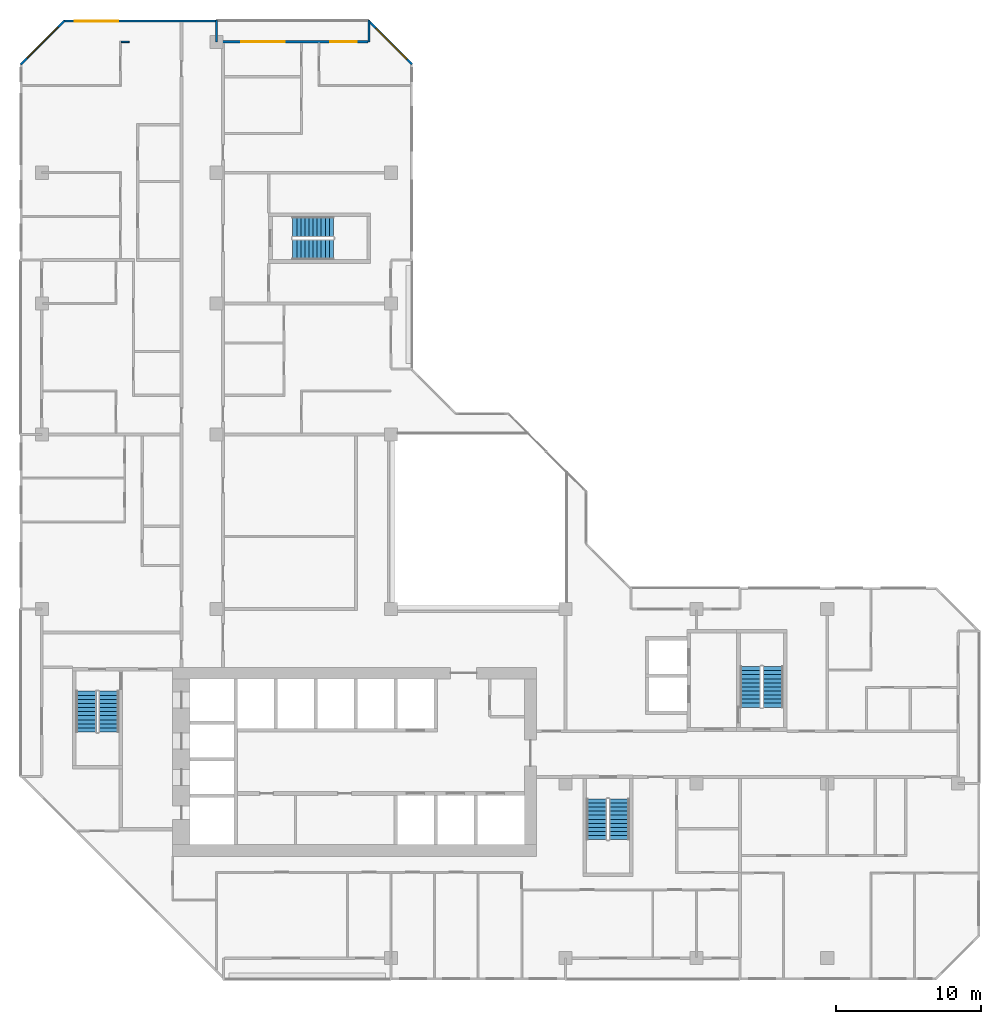
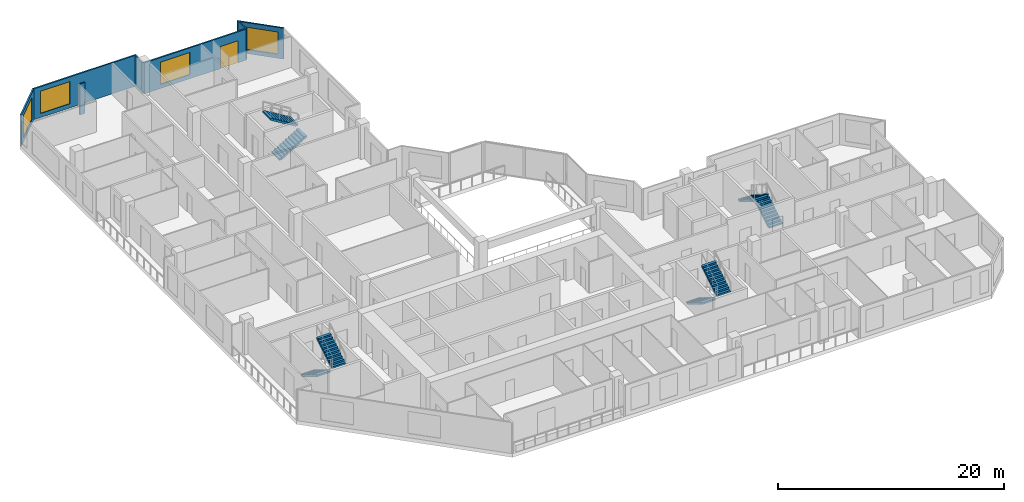
# One storey, part 12 of 14: 8 stair flights, 7 walls, 4 windows, 1 door, 5 openings, 4 elements without a shape of their own.
"""IFC4 building model written with IfcOpenShell, lengths in metres."""

from ifc_helpers import new_model, si_unit, direction, frame, frame_2d, origin, place, context, subcontext, project, spatial, polyline, rectangle, outline, extrude, material, layer, layer_set, type_object, element, fill, aggregate, save


model = new_model("IFC4")

# Units and contexts
model_context = context("Model", 3, precision=1e-05, world=origin(), true_north=direction((0.0, 1.0)))
body_context = subcontext(model_context, "Body", "Model", "MODEL_VIEW")
ifc_project = project(units=[si_unit("LENGTHUNIT", "METRE"), si_unit("AREAUNIT", "SQUARE_METRE"), si_unit("VOLUMEUNIT", "CUBIC_METRE"), si_unit("PLANEANGLEUNIT", "RADIAN"), si_unit("MASSUNIT", "GRAM", prefix="KILO")], contexts=[model_context])

# Site, building, storey
site_placement = place(None, origin())
site = spatial("IfcSite", under=ifc_project, at=site_placement, CompositionType="ELEMENT")
building_placement = place(site_placement, origin())
building = spatial("IfcBuilding", under=site, at=building_placement, Name="Chenar Terraces", CompositionType="ELEMENT")
storey_placement = place(building_placement, frame((0.0, 0.0, 183.64990234375)))
storey = spatial("IfcBuildingStorey", under=building, at=storey_placement, Name="L42", CompositionType="ELEMENT", Elevation=183.64990234375)

# Wall, opening, window
ifc_material_1 = material(Name="Aluminium framed glazing", Category="aluminium")
ifc_layer_1 = layer(ifc_material_1, 0.14990234375)
ifc_layer_set_1 = layer_set([ifc_layer_1], Name="Aluminium framed glazing")
wall_type_1 = type_object("IfcWallType", Name="Glazed flush facade wall 150", PredefinedType="SOLIDWALL", material=ifc_layer_set_1)
wall_1_placement = place(storey_placement, frame((11.925048828125, 64.425048828125, 0.0), z_axis=(0.0, 0.0, 1.0), x_axis=(-1.0, 0.0, 0.0)))
wall_1 = element("IfcWall", 1, at=wall_1_placement, inside=storey, type_object=wall_type_1, Name="Glazed flush facade wall", PredefinedType="SOLIDWALL", context=body_context, shape_type="SweptSolid", body=[
    extrude(rectangle(XDim=10.425048828125, YDim=0.14990234375, at=frame_2d((5.21240234375, 0.0))), origin(), (0.0, 0.0, 1.0), 3.35009765625),
])
opening_1_placement = place(wall_1_placement, frame((6.675048828125, 0.0, 0.449951171875)))
opening_1 = element("IfcOpeningElement", 2, at=opening_1_placement, cuts=wall_1, Name="Opening W300x240", PredefinedType="OPENING", context=body_context, shape_type="SweptSolid", body=[
    extrude(rectangle(XDim=3.0, YDim=2.39990234375, at=frame_2d((1.5, 1.199951171875))), frame((0.0, 0.0849609375, 0.0), z_axis=(0.0, -1.0, 0.0), x_axis=(1.0, 0.0, 0.0)), (0.0, 0.0, 1.0), 0.169921875),
])
ifc_material_2 = material(Name="Low emissivity double glazing, aluminium frame", Category="aluminium")
window_type = type_object("IfcWindowType", Name="Fixed light 3000 x 2400", PartitioningType="SINGLE_PANEL", PredefinedType="WINDOW", material=ifc_material_2)
window_1_placement = place(opening_1_placement, origin())
window_1 = element("IfcWindow", 3, at=window_1_placement, inside=storey, type_object=window_type, Name="Window", OverallHeight=2.39990234375, OverallWidth=3.0, PartitioningType="SINGLE_PANEL", PredefinedType="WINDOW", context=body_context, shape_type="SweptSolid", body=[
    extrude(rectangle(XDim=3.0, YDim=2.39990234375, at=frame_2d((1.5, 1.199951171875))), frame((0.0, 0.030029296875, 0.0), z_axis=(0.0, -1.0, 0.0), x_axis=(1.0, 0.0, 0.0)), (0.0, 0.0, 1.0), 0.06005859375),
])
fill(opening_1, window_1)

# Wall, openings, window, door
ifc_material_3 = material(Name="Aluminium framed glazing", Category="aluminium")
ifc_layer_2 = layer(ifc_material_3, 0.14990234375)
ifc_layer_set_2 = layer_set([ifc_layer_2], Name="Aluminium framed glazing")
wall_type_2 = type_object("IfcWallType", Name="Glazed loggia back wall 150", PredefinedType="SOLIDWALL", material=ifc_layer_set_2)
wall_2_placement = place(storey_placement, frame((22.425048828125, 63.0, 0.0), z_axis=(0.0, 0.0, 1.0), x_axis=(-1.0, 0.0, 0.0)))
wall_2 = element("IfcWall", 4, at=wall_2_placement, inside=storey, type_object=wall_type_2, Name="Glazed loggia back wall", PredefinedType="SOLIDWALL", context=body_context, shape_type="SweptSolid", body=[
    extrude(rectangle(XDim=10.35009765625, YDim=0.14990234375, at=frame_2d((5.175048828125, 0.0))), origin(), (0.0, 0.0, 1.0), 3.35009765625),
])
opening_2_placement = place(wall_2_placement, frame((0.78759765625, 0.0, 0.0)))
opening_2 = element("IfcOpeningElement", 5, at=opening_2_placement, cuts=wall_2, Name="Opening DL42-G2", PredefinedType="OPENING", context=body_context, shape_type="SweptSolid", body=[
    extrude(rectangle(XDim=1.800048828125, YDim=2.39990234375, at=frame_2d((0.89990234375, 1.199951171875))), frame((0.0, 0.0849609375, 0.0), z_axis=(0.0, -1.0, 0.0), x_axis=(1.0, 0.0, 0.0)), (0.0, 0.0, 1.0), 0.169921875),
])
opening_3_placement = place(wall_2_placement, frame((5.72509765625, 0.0, 0.449951171875)))
opening_3 = element("IfcOpeningElement", 6, at=opening_3_placement, cuts=wall_2, Name="Opening W300x240", PredefinedType="OPENING", context=body_context, shape_type="SweptSolid", body=[
    extrude(rectangle(XDim=3.0, YDim=2.39990234375, at=frame_2d((1.5, 1.199951171875))), frame((0.0, 0.0849609375, 0.0), z_axis=(0.0, -1.0, 0.0), x_axis=(1.0, 0.0, 0.0)), (0.0, 0.0, 1.0), 0.169921875),
])
window_2_placement = place(opening_3_placement, origin())
window_2 = element("IfcWindow", 7, at=window_2_placement, inside=storey, type_object=window_type, Name="Window", OverallHeight=2.39990234375, OverallWidth=3.0, PartitioningType="SINGLE_PANEL", PredefinedType="WINDOW", context=body_context, shape_type="SweptSolid", body=[
    extrude(rectangle(XDim=3.0, YDim=2.39990234375, at=frame_2d((1.5, 1.199951171875))), frame((0.0, 0.030029296875, 0.0), z_axis=(0.0, -1.0, 0.0), x_axis=(1.0, 0.0, 0.0)), (0.0, 0.0, 1.0), 0.06005859375),
])
fill(opening_3, window_2)
ifc_material_4 = material(Name="Low emissivity double glazing, aluminium frame", Category="aluminium")
door_type = type_object("IfcDoorType", Name="Loggia glazed double door 1800 x 2400", OperationType="DOUBLE_DOOR_SINGLE_SWING", PredefinedType="DOOR", material=ifc_material_4)
door_placement = place(opening_2_placement, frame((1.800048828125, 0.0, 0.0), z_axis=(0.0, 0.0, 1.0), x_axis=(-1.0, 0.0, 0.0)))
door = element("IfcDoor", 8, at=door_placement, inside=storey, type_object=door_type, Name="Loggia glazed door", OperationType="DOUBLE_DOOR_SINGLE_SWING", OverallHeight=2.39990234375, OverallWidth=1.800048828125, PredefinedType="DOOR", context=body_context, shape_type="SweptSolid", body=[
    extrude(rectangle(XDim=1.800048828125, YDim=2.39990234375, at=frame_2d((0.89990234375, 1.199951171875))), frame((0.0, 0.02490234375, 0.0), z_axis=(0.0, -1.0, 0.0), x_axis=(1.0, 0.0, 0.0)), (0.0, 0.0, 1.0), 0.050048828125),
])
fill(opening_2, door)

# Walls
ifc_material_5 = material(Name="Gypsum board on steel studs", Category="steel")
ifc_layer_3 = layer(ifc_material_5, 0.10009765625)
ifc_layer_set_3 = layer_set([ifc_layer_3], Name="Gypsum board on steel studs")
wall_type_3 = type_object("IfcWallType", Name="Gypsum partition 100", PredefinedType="PARTITIONING", material=ifc_layer_set_3)
wall_3_placement = place(storey_placement, frame((5.449951171875, 63.0, 0.0), z_axis=(0.0, 0.0, 1.0), x_axis=(1.0, 0.0, 0.0)))
element("IfcWall", 9, at=wall_3_placement, inside=storey, type_object=wall_type_3, Name="Partition L42-017", PredefinedType="PARTITIONING", context=body_context, shape_type="SweptSolid", body=[
    extrude(rectangle(XDim=0.550048828125, YDim=0.10009765625, at=frame_2d((0.27490234375, 0.0))), origin(), (0.0, 0.0, 1.0), 3.35009765625),
])
ifc_material_6 = material(Name="Terracotta cladding on insulated backing", Category="masonry")
ifc_layer_4 = layer(ifc_material_6, 0.14990234375)
ifc_layer_set_4 = layer_set([ifc_layer_4], Name="Terracotta cladding on insulated backing")
wall_type_4 = type_object("IfcWallType", Name="Loggia return wall 150", PredefinedType="SOLIDWALL", material=ifc_layer_set_4)
for number, where, z_axis, x_axis, name in (
    (10, (22.5, 64.5, 0.0), (0.0, 0.0, 1.0), (0.0, -1.0, 0.0), "Loggia return wall"),
    (11, (12.0, 64.5, 0.0), (0.0, 0.0, 1.0), (0.0, -1.0, 0.0), "Loggia return wall"),
):
    element("IfcWall", number, at=place(storey_placement, frame(where, z_axis=z_axis, x_axis=x_axis)), inside=storey, type_object=wall_type_4, Name=name, PredefinedType="SOLIDWALL", context=body_context, shape_type="SweptSolid", body=[
        extrude(rectangle(XDim=1.5, YDim=0.14990234375, at=frame_2d((0.75, 0.0))), origin(), (0.0, 0.0, 1.0), 3.35009765625),
    ])

# Wall, opening, window
ifc_material_7 = material(Name="Terracotta cladding on insulated backing", Category="masonry")
ifc_layer_5 = layer(ifc_material_7, 0.14990234375)
ifc_layer_set_5 = layer_set([ifc_layer_5], Name="Terracotta cladding on insulated backing")
wall_type_5 = type_object("IfcWallType", Name="Terracotta rainscreen wall 150", PredefinedType="SOLIDWALL", material=ifc_layer_set_5)
wall_4_placement = place(storey_placement, frame((25.447021484375, 61.447021484375, 0.0), z_axis=(0.0, 0.0, 1.0), x_axis=(-0.707106781187, 0.707106781187, 0.0)))
wall_4 = element("IfcWall", 12, at=wall_4_placement, inside=storey, type_object=wall_type_5, Name="Terracotta rainscreen wall", PredefinedType="SOLIDWALL", context=body_context, shape_type="SweptSolid", body=[
    extrude(rectangle(XDim=4.24267578125, YDim=0.14990234375, at=frame_2d((2.121337890625, 0.0))), origin(), (0.0, 0.0, 1.0), 3.35009765625),
])
opening_4_placement = place(wall_4_placement, frame((0.498046875, 0.0, 0.449951171875)))
opening_4 = element("IfcOpeningElement", 13, at=opening_4_placement, cuts=wall_4, Name="Opening W300x240", PredefinedType="OPENING", context=body_context, shape_type="SweptSolid", body=[
    extrude(rectangle(XDim=3.0, YDim=2.39990234375, at=frame_2d((1.5, 1.199951171875))), frame((0.0, 0.0849609375, 0.0), z_axis=(0.0, -1.0, 0.0), x_axis=(1.0, 0.0, 0.0)), (0.0, 0.0, 1.0), 0.169921875),
])
window_3_placement = place(opening_4_placement, origin())
window_3 = element("IfcWindow", 14, at=window_3_placement, inside=storey, type_object=window_type, Name="Window", OverallHeight=2.39990234375, OverallWidth=3.0, PartitioningType="SINGLE_PANEL", PredefinedType="WINDOW", context=body_context, shape_type="SweptSolid", body=[
    extrude(rectangle(XDim=3.0, YDim=2.39990234375, at=frame_2d((1.5, 1.199951171875))), frame((0.0, 0.030029296875, 0.0), z_axis=(0.0, -1.0, 0.0), x_axis=(1.0, 0.0, 0.0)), (0.0, 0.0, 1.0), 0.06005859375),
])
fill(opening_4, window_3)

wall_5_placement = place(storey_placement, frame((1.552978515625, 64.447021484375, 0.0), z_axis=(0.0, 0.0, 1.0), x_axis=(-0.707106781187, -0.707106781187, 0.0)))
wall_5 = element("IfcWall", 15, at=wall_5_placement, inside=storey, type_object=wall_type_5, Name="Terracotta rainscreen wall", PredefinedType="SOLIDWALL", context=body_context, shape_type="SweptSolid", body=[
    extrude(rectangle(XDim=4.24267578125, YDim=0.14990234375, at=frame_2d((2.121337890625, 0.0))), origin(), (0.0, 0.0, 1.0), 3.35009765625),
])
opening_5_placement = place(wall_5_placement, frame((0.621337890625, 0.0, 0.449951171875)))
opening_5 = element("IfcOpeningElement", 16, at=opening_5_placement, cuts=wall_5, Name="Opening W300x240", PredefinedType="OPENING", context=body_context, shape_type="SweptSolid", body=[
    extrude(rectangle(XDim=3.0, YDim=2.39990234375, at=frame_2d((1.5, 1.199951171875))), frame((0.0, 0.0849609375, 0.0), z_axis=(0.0, -1.0, 0.0), x_axis=(1.0, 0.0, 0.0)), (0.0, 0.0, 1.0), 0.169921875),
])
window_4_placement = place(opening_5_placement, origin())
window_4 = element("IfcWindow", 17, at=window_4_placement, inside=storey, type_object=window_type, Name="Window", OverallHeight=2.39990234375, OverallWidth=3.0, PartitioningType="SINGLE_PANEL", PredefinedType="WINDOW", context=body_context, shape_type="SweptSolid", body=[
    extrude(rectangle(XDim=3.0, YDim=2.39990234375, at=frame_2d((1.5, 1.199951171875))), frame((0.0, 0.030029296875, 0.0), z_axis=(0.0, -1.0, 0.0), x_axis=(1.0, 0.0, 0.0)), (0.0, 0.0, 1.0), 0.06005859375),
])
fill(opening_5, window_4)

# Stair, stair flights
ifc_material_8 = material(Name="Reinforced concrete C40/50", Category="concrete")
stair_type = type_object("IfcStairType", Name="Core stair 1400 half-turn", PredefinedType="HALF_TURN_STAIR", material=ifc_material_8)
placement = place(storey_placement, origin())
stair_1 = element("IfcStair", 18, at=placement, inside=storey, type_object=stair_type, Name="L42 Stair 1", PredefinedType="HALF_TURN_STAIR")
ifc_material_9 = material(Name="Reinforced concrete C40/50", Category="concrete")
stair_flight_type = type_object("IfcStairFlightType", Name="Core stair flight 1400", PredefinedType="STRAIGHT", material=ifc_material_9)
stair_flight_1_placement = place(storey_placement, frame((3.050048828125, 18.35009765625, 0.0), z_axis=(0.0, 0.0, 1.0), x_axis=(0.0, -1.0, 0.0)))
stair_flight_1 = element("IfcStairFlight", 19, at=stair_flight_1_placement, type_object=stair_flight_type, Name="ST1 flight 1", NumberOfRisers=11, NumberOfTreads=10, PredefinedType="STRAIGHT", RiserHeight=0.170454545, TreadLength=0.28, context=body_context, shape_type="SweptSolid", body=[
    extrude(outline(polyline([(-0.0029296875, 0.0), (-0.0029296875, 0.17041015625), (0.0, 0.17041015625), (0.280029296875, 0.17041015625), (0.280029296875, 0.3408203125), (0.56005859375, 0.3408203125), (0.56005859375, 0.511474609375), (0.840087890625, 0.511474609375), (0.840087890625, 0.681884765625), (1.1201171875, 0.681884765625), (1.1201171875, 0.852294921875), (1.39990234375, 0.852294921875), (1.39990234375, 1.022705078125), (1.679931640625, 1.022705078125), (1.679931640625, 1.193115234375), (1.9599609375, 1.193115234375), (1.9599609375, 1.363525390625), (2.239990234375, 1.363525390625), (2.239990234375, 1.5341796875), (2.52001953125, 1.5341796875), (2.52001953125, 1.70458984375), (2.800048828125, 1.70458984375), (2.802978515625, 1.70458984375), (2.802978515625, 1.529052734375), (2.800048828125, 1.529052734375), (0.288330078125, 0.0), (-0.0029296875, 0.0)])), frame((0.0, 0.699951171875, 0.0), z_axis=(0.0, -1.0, 0.0), x_axis=(1.0, 0.0, 0.0)), (0.0, 0.0, 1.0), 1.39990234375),
])
stair_flight_2_placement = place(storey_placement, frame((4.60009765625, 15.550048828125, 1.875), z_axis=(0.0, 0.0, 1.0), x_axis=(0.0, 1.0, 0.0)))
stair_flight_2 = element("IfcStairFlight", 20, at=stair_flight_2_placement, type_object=stair_flight_type, Name="ST1 flight 2", NumberOfRisers=11, NumberOfTreads=10, PredefinedType="STRAIGHT", RiserHeight=0.170454545, TreadLength=0.28, context=body_context, shape_type="SweptSolid", body=[
    extrude(outline(polyline([(-0.0029296875, 0.0), (-0.0029296875, 0.17041015625), (0.0, 0.17041015625), (0.280029296875, 0.17041015625), (0.280029296875, 0.3408203125), (0.56005859375, 0.3408203125), (0.56005859375, 0.511474609375), (0.840087890625, 0.511474609375), (0.840087890625, 0.681884765625), (1.1201171875, 0.681884765625), (1.1201171875, 0.852294921875), (1.39990234375, 0.852294921875), (1.39990234375, 1.022705078125), (1.679931640625, 1.022705078125), (1.679931640625, 1.193115234375), (1.9599609375, 1.193115234375), (1.9599609375, 1.363525390625), (2.239990234375, 1.363525390625), (2.239990234375, 1.5341796875), (2.52001953125, 1.5341796875), (2.52001953125, 1.70458984375), (2.800048828125, 1.70458984375), (2.802978515625, 1.70458984375), (2.802978515625, 1.529052734375), (2.800048828125, 1.529052734375), (0.288330078125, 0.0), (-0.0029296875, 0.0)])), frame((0.0, 0.699951171875, 0.0), z_axis=(0.0, -1.0, 0.0), x_axis=(1.0, 0.0, 0.0)), (0.0, 0.0, 1.0), 1.39990234375),
])
aggregate(stair_1, [stair_flight_1, stair_flight_2])

stair_2 = element("IfcStair", 21, at=placement, inside=storey, type_object=stair_type, Name="L42 Stair 2", PredefinedType="HALF_TURN_STAIR")
stair_flight_3_placement = place(storey_placement, frame((38.14990234375, 10.949951171875, 0.0), z_axis=(0.0, 0.0, 1.0), x_axis=(0.0, -1.0, 0.0)))
stair_flight_3 = element("IfcStairFlight", 22, at=stair_flight_3_placement, type_object=stair_flight_type, Name="ST2 flight 1", NumberOfRisers=11, NumberOfTreads=10, PredefinedType="STRAIGHT", RiserHeight=0.170454545, TreadLength=0.28, context=body_context, shape_type="SweptSolid", body=[
    extrude(outline(polyline([(-0.0029296875, 0.0), (-0.0029296875, 0.17041015625), (0.0, 0.17041015625), (0.280029296875, 0.17041015625), (0.280029296875, 0.3408203125), (0.56005859375, 0.3408203125), (0.56005859375, 0.511474609375), (0.840087890625, 0.511474609375), (0.840087890625, 0.681884765625), (1.1201171875, 0.681884765625), (1.1201171875, 0.852294921875), (1.39990234375, 0.852294921875), (1.39990234375, 1.022705078125), (1.679931640625, 1.022705078125), (1.679931640625, 1.193115234375), (1.9599609375, 1.193115234375), (1.9599609375, 1.363525390625), (2.239990234375, 1.363525390625), (2.239990234375, 1.5341796875), (2.52001953125, 1.5341796875), (2.52001953125, 1.70458984375), (2.800048828125, 1.70458984375), (2.802978515625, 1.70458984375), (2.802978515625, 1.529052734375), (2.800048828125, 1.529052734375), (0.288330078125, 0.0), (-0.0029296875, 0.0)])), frame((0.0, 0.699951171875, 0.0), z_axis=(0.0, -1.0, 0.0), x_axis=(1.0, 0.0, 0.0)), (0.0, 0.0, 1.0), 1.39990234375),
])
stair_flight_4_placement = place(storey_placement, frame((39.699951171875, 8.14990234375, 1.875), z_axis=(0.0, 0.0, 1.0), x_axis=(0.0, 1.0, 0.0)))
stair_flight_4 = element("IfcStairFlight", 23, at=stair_flight_4_placement, type_object=stair_flight_type, Name="ST2 flight 2", NumberOfRisers=11, NumberOfTreads=10, PredefinedType="STRAIGHT", RiserHeight=0.170454545, TreadLength=0.28, context=body_context, shape_type="SweptSolid", body=[
    extrude(outline(polyline([(-0.0029296875, 0.0), (-0.0029296875, 0.17041015625), (0.0, 0.17041015625), (0.280029296875, 0.17041015625), (0.280029296875, 0.3408203125), (0.56005859375, 0.3408203125), (0.56005859375, 0.511474609375), (0.840087890625, 0.511474609375), (0.840087890625, 0.681884765625), (1.1201171875, 0.681884765625), (1.1201171875, 0.852294921875), (1.39990234375, 0.852294921875), (1.39990234375, 1.022705078125), (1.679931640625, 1.022705078125), (1.679931640625, 1.193115234375), (1.9599609375, 1.193115234375), (1.9599609375, 1.363525390625), (2.239990234375, 1.363525390625), (2.239990234375, 1.5341796875), (2.52001953125, 1.5341796875), (2.52001953125, 1.70458984375), (2.800048828125, 1.70458984375), (2.802978515625, 1.70458984375), (2.802978515625, 1.529052734375), (2.800048828125, 1.529052734375), (0.288330078125, 0.0), (-0.0029296875, 0.0)])), frame((0.0, 0.699951171875, 0.0), z_axis=(0.0, -1.0, 0.0), x_axis=(1.0, 0.0, 0.0)), (0.0, 0.0, 1.0), 1.39990234375),
])
aggregate(stair_2, [stair_flight_3, stair_flight_4])

stair_3 = element("IfcStair", 24, at=placement, inside=storey, type_object=stair_type, Name="L42 Stair 3", PredefinedType="HALF_TURN_STAIR")
stair_flight_5_placement = place(storey_placement, frame((50.27490234375, 17.25, 0.0), z_axis=(0.0, 0.0, 1.0), x_axis=(0.0, 1.0, 0.0)))
stair_flight_5 = element("IfcStairFlight", 25, at=stair_flight_5_placement, type_object=stair_flight_type, Name="ST3 flight 1", NumberOfRisers=11, NumberOfTreads=10, PredefinedType="STRAIGHT", RiserHeight=0.170454545, TreadLength=0.28, context=body_context, shape_type="SweptSolid", body=[
    extrude(outline(polyline([(-0.0029296875, 0.0), (-0.0029296875, 0.17041015625), (0.0, 0.17041015625), (0.280029296875, 0.17041015625), (0.280029296875, 0.3408203125), (0.56005859375, 0.3408203125), (0.56005859375, 0.511474609375), (0.840087890625, 0.511474609375), (0.840087890625, 0.681884765625), (1.1201171875, 0.681884765625), (1.1201171875, 0.852294921875), (1.39990234375, 0.852294921875), (1.39990234375, 1.022705078125), (1.679931640625, 1.022705078125), (1.679931640625, 1.193115234375), (1.9599609375, 1.193115234375), (1.9599609375, 1.363525390625), (2.239990234375, 1.363525390625), (2.239990234375, 1.5341796875), (2.52001953125, 1.5341796875), (2.52001953125, 1.70458984375), (2.800048828125, 1.70458984375), (2.802978515625, 1.70458984375), (2.802978515625, 1.529052734375), (2.800048828125, 1.529052734375), (0.288330078125, 0.0), (-0.0029296875, 0.0)])), frame((0.0, 0.699951171875, 0.0), z_axis=(0.0, -1.0, 0.0), x_axis=(1.0, 0.0, 0.0)), (0.0, 0.0, 1.0), 1.39990234375),
])
stair_flight_6_placement = place(storey_placement, frame((48.72509765625, 20.050048828125, 1.875), z_axis=(0.0, 0.0, 1.0), x_axis=(0.0, -1.0, 0.0)))
stair_flight_6 = element("IfcStairFlight", 26, at=stair_flight_6_placement, type_object=stair_flight_type, Name="ST3 flight 2", NumberOfRisers=11, NumberOfTreads=10, PredefinedType="STRAIGHT", RiserHeight=0.170454545, TreadLength=0.28, context=body_context, shape_type="SweptSolid", body=[
    extrude(outline(polyline([(-0.0029296875, 0.0), (-0.0029296875, 0.17041015625), (0.0, 0.17041015625), (0.280029296875, 0.17041015625), (0.280029296875, 0.3408203125), (0.56005859375, 0.3408203125), (0.56005859375, 0.511474609375), (0.840087890625, 0.511474609375), (0.840087890625, 0.681884765625), (1.1201171875, 0.681884765625), (1.1201171875, 0.852294921875), (1.39990234375, 0.852294921875), (1.39990234375, 1.022705078125), (1.679931640625, 1.022705078125), (1.679931640625, 1.193115234375), (1.9599609375, 1.193115234375), (1.9599609375, 1.363525390625), (2.239990234375, 1.363525390625), (2.239990234375, 1.5341796875), (2.52001953125, 1.5341796875), (2.52001953125, 1.70458984375), (2.800048828125, 1.70458984375), (2.802978515625, 1.70458984375), (2.802978515625, 1.529052734375), (2.800048828125, 1.529052734375), (0.288330078125, 0.0), (-0.0029296875, 0.0)])), frame((0.0, 0.699951171875, 0.0), z_axis=(0.0, -1.0, 0.0), x_axis=(1.0, 0.0, 0.0)), (0.0, 0.0, 1.0), 1.39990234375),
])
aggregate(stair_3, [stair_flight_5, stair_flight_6])

stair_4 = element("IfcStair", 27, at=placement, inside=storey, type_object=stair_type, Name="L42 Stair 4", PredefinedType="HALF_TURN_STAIR")
stair_flight_7_placement = place(storey_placement, frame((17.25, 48.72509765625, 0.0), z_axis=(0.0, 0.0, 1.0), x_axis=(1.0, 0.0, 0.0)))
stair_flight_7 = element("IfcStairFlight", 28, at=stair_flight_7_placement, type_object=stair_flight_type, Name="ST4 flight 1", NumberOfRisers=11, NumberOfTreads=10, PredefinedType="STRAIGHT", RiserHeight=0.170454545, TreadLength=0.28, context=body_context, shape_type="SweptSolid", body=[
    extrude(outline(polyline([(-0.0029296875, 0.0), (-0.0029296875, 0.17041015625), (0.0, 0.17041015625), (0.280029296875, 0.17041015625), (0.280029296875, 0.3408203125), (0.56005859375, 0.3408203125), (0.56005859375, 0.511474609375), (0.840087890625, 0.511474609375), (0.840087890625, 0.681884765625), (1.1201171875, 0.681884765625), (1.1201171875, 0.852294921875), (1.39990234375, 0.852294921875), (1.39990234375, 1.022705078125), (1.679931640625, 1.022705078125), (1.679931640625, 1.193115234375), (1.9599609375, 1.193115234375), (1.9599609375, 1.363525390625), (2.239990234375, 1.363525390625), (2.239990234375, 1.5341796875), (2.52001953125, 1.5341796875), (2.52001953125, 1.70458984375), (2.800048828125, 1.70458984375), (2.802978515625, 1.70458984375), (2.802978515625, 1.529052734375), (2.800048828125, 1.529052734375), (0.288330078125, 0.0), (-0.0029296875, 0.0)])), frame((0.0, 0.699951171875, 0.0), z_axis=(0.0, -1.0, 0.0), x_axis=(1.0, 0.0, 0.0)), (0.0, 0.0, 1.0), 1.39990234375),
])
stair_flight_8_placement = place(storey_placement, frame((20.050048828125, 50.27490234375, 1.875), z_axis=(0.0, 0.0, 1.0), x_axis=(-1.0, 0.0, 0.0)))
stair_flight_8 = element("IfcStairFlight", 29, at=stair_flight_8_placement, type_object=stair_flight_type, Name="ST4 flight 2", NumberOfRisers=11, NumberOfTreads=10, PredefinedType="STRAIGHT", RiserHeight=0.170454545, TreadLength=0.28, context=body_context, shape_type="SweptSolid", body=[
    extrude(outline(polyline([(-0.0029296875, 0.0), (-0.0029296875, 0.17041015625), (0.0, 0.17041015625), (0.280029296875, 0.17041015625), (0.280029296875, 0.3408203125), (0.56005859375, 0.3408203125), (0.56005859375, 0.511474609375), (0.840087890625, 0.511474609375), (0.840087890625, 0.681884765625), (1.1201171875, 0.681884765625), (1.1201171875, 0.852294921875), (1.39990234375, 0.852294921875), (1.39990234375, 1.022705078125), (1.679931640625, 1.022705078125), (1.679931640625, 1.193115234375), (1.9599609375, 1.193115234375), (1.9599609375, 1.363525390625), (2.239990234375, 1.363525390625), (2.239990234375, 1.5341796875), (2.52001953125, 1.5341796875), (2.52001953125, 1.70458984375), (2.800048828125, 1.70458984375), (2.802978515625, 1.70458984375), (2.802978515625, 1.529052734375), (2.800048828125, 1.529052734375), (0.288330078125, 0.0), (-0.0029296875, 0.0)])), frame((0.0, 0.699951171875, 0.0), z_axis=(0.0, -1.0, 0.0), x_axis=(1.0, 0.0, 0.0)), (0.0, 0.0, 1.0), 1.39990234375),
])
aggregate(stair_4, [stair_flight_7, stair_flight_8])

save(model, "model.ifc")
